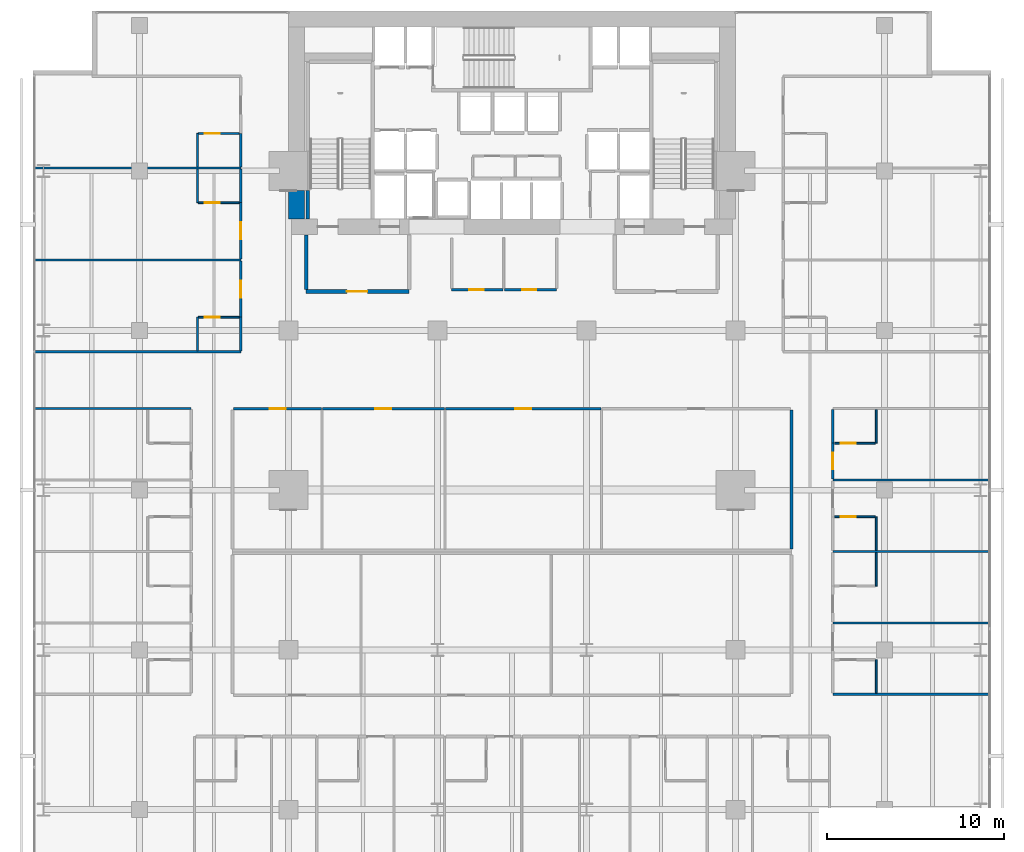
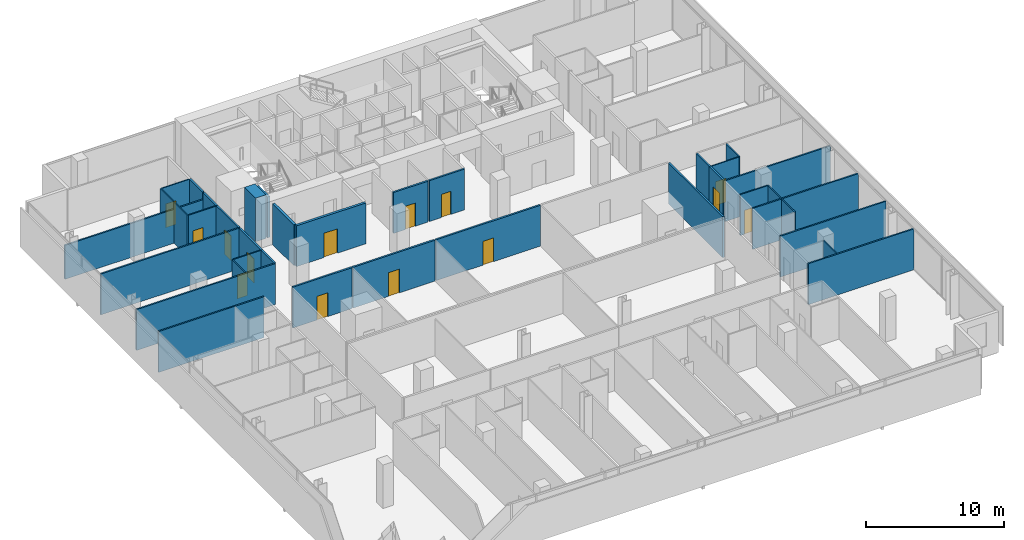
# One storey, part 35 of 41: 37 walls, 14 doors, 14 openings.
"""IFC4 building model written with IfcOpenShell, lengths in metres."""

from ifc_helpers import new_model, si_unit, direction, frame, frame_2d, origin, place, context, subcontext, project, spatial, rectangle, extrude, material, layer, layer_set, type_object, element, fill, save


model = new_model("IFC4")

# Units and contexts
model_context = context("Model", 3, precision=1e-05, world=origin(), true_north=direction((0.0, 1.0)))
body_context = subcontext(model_context, "Body", "Model", "MODEL_VIEW")
ifc_project = project(units=[si_unit("LENGTHUNIT", "METRE"), si_unit("AREAUNIT", "SQUARE_METRE"), si_unit("VOLUMEUNIT", "CUBIC_METRE"), si_unit("PLANEANGLEUNIT", "RADIAN"), si_unit("MASSUNIT", "GRAM", prefix="KILO")], contexts=[model_context])

# Site, building, storey
site_placement = place(None, origin())
site = spatial("IfcSite", under=ifc_project, at=site_placement, CompositionType="ELEMENT")
building_placement = place(site_placement, origin())
building = spatial("IfcBuilding", under=site, at=building_placement, Name="Maruvema Waterfront Hotel and Observation Tower", CompositionType="ELEMENT")
storey_placement = place(building_placement, frame((0.0, 0.0, 84.699951171875)))
storey = spatial("IfcBuildingStorey", under=building, at=storey_placement, Name="L20", CompositionType="ELEMENT", Elevation=84.699951171875)

# Wall, opening, door
ifc_material_1 = material(Name="Twin-stud acoustic gypsum drywall", Category="gypsum")
ifc_layer_1 = layer(ifc_material_1, 0.14990234375, Name="Acoustic Corridor and Suite Demising Wall 150 mm")
ifc_layer_set_1 = layer_set([ifc_layer_1], Name="Twin-stud acoustic gypsum drywall")
wall_type_1 = type_object("IfcWallType", Name="Acoustic Corridor and Suite Demising Wall 150 mm", PredefinedType="PARTITIONING", material=ifc_layer_set_1)
wall_1_placement = place(storey_placement, frame((34.39990234375, 38.300048828125, 0.0), z_axis=(0.0, 0.0, 1.0), x_axis=(1.0, 0.0, 0.0)))
wall_1 = element("IfcWall", 1, at=wall_1_placement, inside=storey, type_object=wall_type_1, Name="L20 Core Apron K2A South 017", PredefinedType="PARTITIONING", context=body_context, shape_type="SweptSolid", body=[
    extrude(rectangle(XDim=2.880126953125, YDim=0.14990234375, at=frame_2d((1.43994140625, 0.0))), origin(), (0.0, 0.0, 1.0), 3.610107421875),
])
opening_1_placement = place(wall_1_placement, frame((1.0, 0.0, 0.0)))
opening_1 = element("IfcOpeningElement", 2, at=opening_1_placement, cuts=wall_1, Name="Opening DR-080", PredefinedType="OPENING", context=body_context, shape_type="SweptSolid", body=[
    extrude(rectangle(XDim=0.800048828125, YDim=2.050048828125, at=frame_2d((0.39990234375, 1.02490234375))), frame((0.0, 0.0849609375, 0.0), z_axis=(0.0, -1.0, 0.0), x_axis=(1.0, 0.0, 0.0)), (0.0, 0.0, 1.0), 0.169921875),
])
ifc_material_2 = material(Name="Powder-coated steel access leaf", Category="steel")
door_type_1 = type_object("IfcDoorType", Name="Riser and Service Cupboard Door 800x2050 mm", OperationType="NOTDEFINED", PredefinedType="DOOR", material=ifc_material_2)
door_1_placement = place(opening_1_placement, frame((0.800048828125, 0.0, 0.0), z_axis=(0.0, 0.0, 1.0), x_axis=(-1.0, 0.0, 0.0)))
door_1 = element("IfcDoor", 3, at=door_1_placement, inside=storey, type_object=door_type_1, Name="L20 Core Ice Alcove Door", OperationType="SINGLE_SWING_RIGHT", OverallHeight=2.050048828125, OverallWidth=0.800048828125, PredefinedType="DOOR", context=body_context, shape_type="SweptSolid", body=[
    extrude(rectangle(XDim=0.800048828125, YDim=2.050048828125, at=frame_2d((0.39990234375, 1.02490234375))), frame((0.0, 0.02490234375, 0.0), z_axis=(0.0, -1.0, 0.0), x_axis=(1.0, 0.0, 0.0)), (0.0, 0.0, 1.0), 0.050048828125),
])
fill(opening_1, door_1)

wall_2_placement = place(storey_placement, frame((37.3798828125, 38.300048828125, 0.0), z_axis=(0.0, 0.0, 1.0), x_axis=(1.0, 0.0, 0.0)))
wall_2 = element("IfcWall", 4, at=wall_2_placement, inside=storey, type_object=wall_type_1, Name="L20 Core Apron K2B South 018", PredefinedType="PARTITIONING", context=body_context, shape_type="SweptSolid", body=[
    extrude(rectangle(XDim=2.940185546875, YDim=0.14990234375, at=frame_2d((1.47021484375, 0.0))), origin(), (0.0, 0.0, 1.0), 3.610107421875),
])
opening_2_placement = place(wall_2_placement, frame((1.0, 0.0, 0.0)))
opening_2 = element("IfcOpeningElement", 5, at=opening_2_placement, cuts=wall_2, Name="Opening DR-080", PredefinedType="OPENING", context=body_context, shape_type="SweptSolid", body=[
    extrude(rectangle(XDim=0.800048828125, YDim=2.050048828125, at=frame_2d((0.39990234375, 1.02490234375))), frame((0.0, 0.0849609375, 0.0), z_axis=(0.0, -1.0, 0.0), x_axis=(1.0, 0.0, 0.0)), (0.0, 0.0, 1.0), 0.169921875),
])
door_2_placement = place(opening_2_placement, frame((0.800048828125, 0.0, 0.0), z_axis=(0.0, 0.0, 1.0), x_axis=(-1.0, 0.0, 0.0)))
door_2 = element("IfcDoor", 6, at=door_2_placement, inside=storey, type_object=door_type_1, Name="L20 Core Valet Closet Door", OperationType="SINGLE_SWING_LEFT", OverallHeight=2.050048828125, OverallWidth=0.800048828125, PredefinedType="DOOR", context=body_context, shape_type="SweptSolid", body=[
    extrude(rectangle(XDim=0.800048828125, YDim=2.050048828125, at=frame_2d((0.39990234375, 1.02490234375))), frame((0.0, 0.02490234375, 0.0), z_axis=(0.0, -1.0, 0.0), x_axis=(1.0, 0.0, 0.0)), (0.0, 0.0, 1.0), 0.050048828125),
])
fill(opening_2, door_2)

# Wall
wall_3_placement = place(storey_placement, frame((53.550048828125, 23.679931640625, 0.0), z_axis=(0.0, 0.0, 1.0), x_axis=(0.0, 1.0, 0.0)))
element("IfcWall", 7, at=wall_3_placement, inside=storey, type_object=wall_type_1, Name="L20 L20-INTN East Wall 024", PredefinedType="PARTITIONING", context=body_context, shape_type="SweptSolid", body=[
    extrude(rectangle(XDim=7.840087890625, YDim=0.14990234375, at=frame_2d((3.919921875, 0.0))), origin(), (0.0, 0.0, 1.0), 3.610107421875),
])

# Wall, opening, door
wall_4_placement = place(storey_placement, frame((22.110107421875, 31.60009765625, 0.0), z_axis=(0.0, 0.0, 1.0), x_axis=(1.0, 0.0, 0.0)))
wall_4 = element("IfcWall", 8, at=wall_4_placement, inside=storey, type_object=wall_type_1, Name="L20 L20-INTN Front 1 025", PredefinedType="PARTITIONING", context=body_context, shape_type="SweptSolid", body=[
    extrude(rectangle(XDim=4.949951171875, YDim=0.14990234375, at=frame_2d((2.47509765625, 0.0))), origin(), (0.0, 0.0, 1.0), 3.610107421875),
])
opening_3_placement = place(wall_4_placement, frame((2.02490234375, 0.0, 0.0)))
opening_3 = element("IfcOpeningElement", 9, at=opening_3_placement, cuts=wall_4, Name="Opening DR-090", PredefinedType="OPENING", context=body_context, shape_type="SweptSolid", body=[
    extrude(rectangle(XDim=0.89990234375, YDim=2.10009765625, at=frame_2d((0.449951171875, 1.050048828125))), frame((0.0, 0.0849609375, 0.0), z_axis=(0.0, -1.0, 0.0), x_axis=(1.0, 0.0, 0.0)), (0.0, 0.0, 1.0), 0.169921875),
])
ifc_material_3 = material(Name="Solid-core lacquered timber leaf", Category="wood")
door_type_2 = type_object("IfcDoorType", Name="Accessible Toilet and Room Door 900x2100 mm", OperationType="NOTDEFINED", PredefinedType="DOOR", material=ifc_material_3)
door_3_placement = place(opening_3_placement, origin())
door_3 = element("IfcDoor", 10, at=door_3_placement, inside=storey, type_object=door_type_2, Name="L20 Coworking Office Door", OperationType="SINGLE_SWING_RIGHT", OverallHeight=2.10009765625, OverallWidth=0.89990234375, PredefinedType="DOOR", context=body_context, shape_type="SweptSolid", body=[
    extrude(rectangle(XDim=0.89990234375, YDim=2.10009765625, at=frame_2d((0.449951171875, 1.050048828125))), frame((0.0, 0.02490234375, 0.0), z_axis=(0.0, -1.0, 0.0), x_axis=(1.0, 0.0, 0.0)), (0.0, 0.0, 1.0), 0.050048828125),
])
fill(opening_3, door_3)

wall_5_placement = place(storey_placement, frame((27.1201171875, 31.60009765625, 0.0), z_axis=(0.0, 0.0, 1.0), x_axis=(1.0, 0.0, 0.0)))
wall_5 = element("IfcWall", 11, at=wall_5_placement, inside=storey, type_object=wall_type_1, Name="L20 L20-INTN Front 2 027", PredefinedType="PARTITIONING", context=body_context, shape_type="SweptSolid", body=[
    extrude(rectangle(XDim=6.869873046875, YDim=0.14990234375, at=frame_2d((3.43505859375, 0.0))), origin(), (0.0, 0.0, 1.0), 3.610107421875),
])
opening_4_placement = place(wall_5_placement, frame((2.985107421875, 0.0, 0.0)))
opening_4 = element("IfcOpeningElement", 12, at=opening_4_placement, cuts=wall_5, Name="Opening DR-090", PredefinedType="OPENING", context=body_context, shape_type="SweptSolid", body=[
    extrude(rectangle(XDim=0.89990234375, YDim=2.10009765625, at=frame_2d((0.449951171875, 1.050048828125))), frame((0.0, 0.0849609375, 0.0), z_axis=(0.0, -1.0, 0.0), x_axis=(1.0, 0.0, 0.0)), (0.0, 0.0, 1.0), 0.169921875),
])
door_4_placement = place(opening_4_placement, origin())
door_4 = element("IfcDoor", 13, at=door_4_placement, inside=storey, type_object=door_type_2, Name="L20 Meeting Room 1 Door", OperationType="SINGLE_SWING_LEFT", OverallHeight=2.10009765625, OverallWidth=0.89990234375, PredefinedType="DOOR", context=body_context, shape_type="SweptSolid", body=[
    extrude(rectangle(XDim=0.89990234375, YDim=2.10009765625, at=frame_2d((0.449951171875, 1.050048828125))), frame((0.0, 0.02490234375, 0.0), z_axis=(0.0, -1.0, 0.0), x_axis=(1.0, 0.0, 0.0)), (0.0, 0.0, 1.0), 0.050048828125),
])
fill(opening_4, door_4)

wall_6_placement = place(storey_placement, frame((34.050048828125, 31.60009765625, 0.0), z_axis=(0.0, 0.0, 1.0), x_axis=(1.0, 0.0, 0.0)))
wall_6 = element("IfcWall", 14, at=wall_6_placement, inside=storey, type_object=wall_type_1, Name="L20 L20-INTN Front 3 029", PredefinedType="PARTITIONING", context=body_context, shape_type="SweptSolid", body=[
    extrude(rectangle(XDim=8.760009765625, YDim=0.14990234375, at=frame_2d((4.3798828125, 0.0))), origin(), (0.0, 0.0, 1.0), 3.610107421875),
])
opening_5_placement = place(wall_6_placement, frame((3.929931640625, 0.0, 0.0)))
opening_5 = element("IfcOpeningElement", 15, at=opening_5_placement, cuts=wall_6, Name="Opening DR-090", PredefinedType="OPENING", context=body_context, shape_type="SweptSolid", body=[
    extrude(rectangle(XDim=0.89990234375, YDim=2.10009765625, at=frame_2d((0.449951171875, 1.050048828125))), frame((0.0, 0.0849609375, 0.0), z_axis=(0.0, -1.0, 0.0), x_axis=(1.0, 0.0, 0.0)), (0.0, 0.0, 1.0), 0.169921875),
])
door_5_placement = place(opening_5_placement, origin())
door_5 = element("IfcDoor", 16, at=door_5_placement, inside=storey, type_object=door_type_2, Name="L20 Meeting Room 2 Door", OperationType="SINGLE_SWING_RIGHT", OverallHeight=2.10009765625, OverallWidth=0.89990234375, PredefinedType="DOOR", context=body_context, shape_type="SweptSolid", body=[
    extrude(rectangle(XDim=0.89990234375, YDim=2.10009765625, at=frame_2d((0.449951171875, 1.050048828125))), frame((0.0, 0.02490234375, 0.0), z_axis=(0.0, -1.0, 0.0), x_axis=(1.0, 0.0, 0.0)), (0.0, 0.0, 1.0), 0.050048828125),
])
fill(opening_5, door_5)

wall_7_placement = place(storey_placement, frame((55.8798828125, 27.639892578125, 0.0), z_axis=(0.0, 0.0, 1.0), x_axis=(0.0, 1.0, 0.0)))
wall_7 = element("IfcWall", 17, at=wall_7_placement, inside=storey, type_object=wall_type_1, Name="L20 Room L20-E4 Corridor Wall 114", PredefinedType="PARTITIONING", context=body_context, shape_type="SweptSolid", body=[
    extrude(rectangle(XDim=2.010009765625, YDim=0.14990234375, at=frame_2d((1.0048828125, 0.0))), origin(), (0.0, 0.0, 1.0), 3.610107421875),
])
opening_6_placement = place(wall_7_placement, frame((0.530029296875, 0.0, 0.0)))
opening_6 = element("IfcOpeningElement", 18, at=opening_6_placement, cuts=wall_7, Name="Opening DR-095", PredefinedType="OPENING", context=body_context, shape_type="SweptSolid", body=[
    extrude(rectangle(XDim=0.949951171875, YDim=2.14990234375, at=frame_2d((0.47509765625, 1.074951171875))), frame((0.0, 0.0849609375, 0.0), z_axis=(0.0, -1.0, 0.0), x_axis=(1.0, 0.0, 0.0)), (0.0, 0.0, 1.0), 0.169921875),
])
ifc_material_4 = material(Name="Acoustic solid-core hardwood timber leaf", Category="wood")
door_type_3 = type_object("IfcDoorType", Name="Guestroom Entrance Fire Door 950x2150 mm", OperationType="NOTDEFINED", PredefinedType="DOOR", material=ifc_material_4)
door_6_placement = place(opening_6_placement, frame((0.949951171875, 0.0, 0.0), z_axis=(0.0, 0.0, 1.0), x_axis=(-1.0, 0.0, 0.0)))
door_6 = element("IfcDoor", 19, at=door_6_placement, inside=storey, type_object=door_type_3, Name="L20 Room L20-E4 Entrance Door", OperationType="SINGLE_SWING_LEFT", OverallHeight=2.14990234375, OverallWidth=0.949951171875, PredefinedType="DOOR", context=body_context, shape_type="SweptSolid", body=[
    extrude(rectangle(XDim=0.949951171875, YDim=2.14990234375, at=frame_2d((0.47509765625, 1.074951171875))), frame((0.0, 0.02490234375, 0.0), z_axis=(0.0, -1.0, 0.0), x_axis=(1.0, 0.0, 0.0)), (0.0, 0.0, 1.0), 0.050048828125),
])
fill(opening_6, door_6)

# Walls
wall_8_placement = place(storey_placement, frame((55.8798828125, 29.64990234375, 0.0), z_axis=(0.0, 0.0, 1.0), x_axis=(0.0, 1.0, 0.0)))
element("IfcWall", 20, at=wall_8_placement, inside=storey, type_object=wall_type_1, Name="L20 Bath L20-E4 Wall 115", PredefinedType="PARTITIONING", context=body_context, shape_type="SweptSolid", body=[
    extrude(rectangle(XDim=1.89013671875, YDim=0.14990234375, at=frame_2d((0.945068359375, 0.0))), origin(), (0.0, 0.0, 1.0), 3.610107421875),
])
wall_9_placement = place(storey_placement, frame((22.52001953125, 34.860107421875, 0.0), z_axis=(0.0, 0.0, 1.0), x_axis=(0.0, 1.0, 0.0)))
element("IfcWall", 21, at=wall_9_placement, inside=storey, type_object=wall_type_1, Name="L20 Bath L20-NW1 Wall 122", PredefinedType="PARTITIONING", context=body_context, shape_type="SweptSolid", body=[
    extrude(rectangle(XDim=1.889892578125, YDim=0.14990234375, at=frame_2d((0.94482421875, 0.0))), origin(), (0.0, 0.0, 1.0), 3.610107421875),
])

# Wall, opening, door
wall_10_placement = place(storey_placement, frame((22.52001953125, 36.75, 0.0), z_axis=(0.0, 0.0, 1.0), x_axis=(0.0, 1.0, 0.0)))
wall_10 = element("IfcWall", 22, at=wall_10_placement, inside=storey, type_object=wall_type_1, Name="L20 Room L20-NW1 Corridor Wall 123", PredefinedType="PARTITIONING", context=body_context, shape_type="SweptSolid", body=[
    extrude(rectangle(XDim=3.169189453125, YDim=0.14990234375, at=frame_2d((1.58447265625, 0.0))), origin(), (0.0, 0.0, 1.0), 3.610107421875),
])
opening_7_placement = place(wall_10_placement, frame((1.109619140625, 0.0, 0.0)))
opening_7 = element("IfcOpeningElement", 23, at=opening_7_placement, cuts=wall_10, Name="Opening DR-095", PredefinedType="OPENING", context=body_context, shape_type="SweptSolid", body=[
    extrude(rectangle(XDim=0.949951171875, YDim=2.14990234375, at=frame_2d((0.47509765625, 1.074951171875))), frame((0.0, 0.0849609375, 0.0), z_axis=(0.0, -1.0, 0.0), x_axis=(1.0, 0.0, 0.0)), (0.0, 0.0, 1.0), 0.169921875),
])
door_7_placement = place(opening_7_placement, origin())
door_7 = element("IfcDoor", 24, at=door_7_placement, inside=storey, type_object=door_type_3, Name="L20 Room L20-NW1 Entrance Door", OperationType="SINGLE_SWING_LEFT", OverallHeight=2.14990234375, OverallWidth=0.949951171875, PredefinedType="DOOR", context=body_context, shape_type="SweptSolid", body=[
    extrude(rectangle(XDim=0.949951171875, YDim=2.14990234375, at=frame_2d((0.47509765625, 1.074951171875))), frame((0.0, 0.02490234375, 0.0), z_axis=(0.0, -1.0, 0.0), x_axis=(1.0, 0.0, 0.0)), (0.0, 0.0, 1.0), 0.050048828125),
])
fill(opening_7, door_7)

wall_11_placement = place(storey_placement, frame((22.52001953125, 40.039306640625, 0.0), z_axis=(0.0, 0.0, 1.0), x_axis=(0.0, 1.0, 0.0)))
wall_11 = element("IfcWall", 25, at=wall_11_placement, inside=storey, type_object=wall_type_1, Name="L20 Room L20-NW2 Corridor Wall 132", PredefinedType="PARTITIONING", context=body_context, shape_type="SweptSolid", body=[
    extrude(rectangle(XDim=3.1689453125, YDim=0.14990234375, at=frame_2d((1.58447265625, 0.0))), origin(), (0.0, 0.0, 1.0), 3.610107421875),
])
opening_8_placement = place(wall_11_placement, frame((1.109619140625, 0.0, 0.0)))
opening_8 = element("IfcOpeningElement", 26, at=opening_8_placement, cuts=wall_11, Name="Opening DR-095", PredefinedType="OPENING", context=body_context, shape_type="SweptSolid", body=[
    extrude(rectangle(XDim=0.949951171875, YDim=2.14990234375, at=frame_2d((0.47509765625, 1.074951171875))), frame((0.0, 0.0849609375, 0.0), z_axis=(0.0, -1.0, 0.0), x_axis=(1.0, 0.0, 0.0)), (0.0, 0.0, 1.0), 0.169921875),
])
door_8_placement = place(opening_8_placement, origin())
door_8 = element("IfcDoor", 27, at=door_8_placement, inside=storey, type_object=door_type_3, Name="L20 Room L20-NW2 Entrance Door", OperationType="SINGLE_SWING_LEFT", OverallHeight=2.14990234375, OverallWidth=0.949951171875, PredefinedType="DOOR", context=body_context, shape_type="SweptSolid", body=[
    extrude(rectangle(XDim=0.949951171875, YDim=2.14990234375, at=frame_2d((0.47509765625, 1.074951171875))), frame((0.0, 0.02490234375, 0.0), z_axis=(0.0, -1.0, 0.0), x_axis=(1.0, 0.0, 0.0)), (0.0, 0.0, 1.0), 0.050048828125),
])
fill(opening_8, door_8)

# Walls
for number, where, z_axis, x_axis, name in (
    (28, (22.52001953125, 43.208251953125, 0.0), (0.0, 0.0, 1.0), (0.0, 1.0, 0.0), "L20 Bath L20-NW2 Wall 133"),
    (29, (22.52001953125, 45.21826171875, 0.0), (0.0, 0.0, 1.0), (0.0, 1.0, 0.0), "L20 Bath L20-NW3 Wall 142"),
):
    element("IfcWall", number, at=place(storey_placement, frame(where, z_axis=z_axis, x_axis=x_axis)), inside=storey, type_object=wall_type_1, Name=name, PredefinedType="PARTITIONING", context=body_context, shape_type="SweptSolid", body=[
        extrude(rectangle(XDim=1.89013671875, YDim=0.14990234375, at=frame_2d((0.945068359375, 0.0))), origin(), (0.0, 0.0, 1.0), 3.610107421875),
    ])
ifc_material_5 = material(Name="Precast concrete C45/55", Category="concrete")
ifc_layer_2 = layer(ifc_material_5, 0.199951171875, Name="Core Shaft and Stairwell Enclosure Wall 200 mm")
ifc_layer_set_2 = layer_set([ifc_layer_2], Name="Precast concrete C45/55")
wall_type_2 = type_object("IfcWallType", Name="Core Shaft and Stairwell Enclosure Wall 200 mm", PredefinedType="SOLIDWALL", material=ifc_layer_set_2)
wall_12_placement = place(storey_placement, frame((26.300048828125, 42.300048828125, 0.0), z_axis=(0.0, 0.0, 1.0), x_axis=(0.0, 1.0, 0.0)))
element("IfcWall", 30, at=wall_12_placement, inside=storey, type_object=wall_type_2, Name="L20 Stairwell ST-01 Shaft Lining Wall", PredefinedType="SOLIDWALL", context=body_context, shape_type="SweptSolid", body=[
    extrude(rectangle(XDim=1.579833984375, YDim=0.199951171875, at=frame_2d((0.7900390625, 0.0))), origin(), (0.0, 0.0, 1.0), 3.610107421875),
])
ifc_material_6 = material(Name="Concrete C80/95", Category="concrete")
ifc_layer_3 = layer(ifc_material_6, 0.89990234375, Name="Core Shear Wall 900 mm")
ifc_layer_set_3 = layer_set([ifc_layer_3], Name="Concrete C80/95")
wall_type_3 = type_object("IfcWallType", Name="Core Shear Wall 900 mm", PredefinedType="SHEAR", material=ifc_layer_set_3)
wall_13_placement = place(storey_placement, frame((25.64990234375, 42.300048828125, 0.0), z_axis=(0.0, 0.0, 1.0), x_axis=(0.0, 1.0, 0.0)))
element("IfcWall", 31, at=wall_13_placement, inside=storey, type_object=wall_type_3, Name="L20 West-South Core Shear Wall", PredefinedType="SHEAR", context=body_context, shape_type="SweptSolid", body=[
    extrude(rectangle(XDim=1.599853515625, YDim=0.89990234375, at=frame_2d((0.7998046875, 0.0))), origin(), (0.0, 0.0, 1.0), 3.85009765625),
])
ifc_material_7 = material(Name="Moisture-resistant cement-board drywall", Category="gypsum")
ifc_layer_4 = layer(ifc_material_7, 0.10009765625, Name="En-Suite Moisture-Resistant Partition 100 mm")
ifc_layer_set_4 = layer_set([ifc_layer_4], Name="Moisture-resistant cement-board drywall")
wall_type_4 = type_object("IfcWallType", Name="En-Suite Moisture-Resistant Partition 100 mm", PredefinedType="PARTITIONING", material=ifc_layer_set_4)
for number, where, z_axis, x_axis, name in (
    (32, (58.330078125, 15.56005859375, 0.0), (0.0, 0.0, 1.0), (0.0, 1.0, 0.0), "L20 En-Suite L20-E1 E 086"),
    (33, (58.330078125, 21.60009765625, 0.0), (0.0, 0.0, 1.0), (0.0, 1.0, 0.0), "L20 En-Suite L20-E2 E 096"),
    (34, (58.330078125, 23.610107421875, 0.0), (0.0, 0.0, 1.0), (0.0, 1.0, 0.0), "L20 En-Suite L20-E3 E 106"),
):
    element("IfcWall", number, at=place(storey_placement, frame(where, z_axis=z_axis, x_axis=x_axis)), inside=storey, type_object=wall_type_4, Name=name, PredefinedType="PARTITIONING", context=body_context, shape_type="SweptSolid", body=[
        extrude(rectangle(XDim=1.889892578125, YDim=0.10009765625, at=frame_2d((0.94482421875, 0.0))), origin(), (0.0, 0.0, 1.0), 3.610107421875),
    ])

# Wall, opening, door
wall_14_placement = place(storey_placement, frame((55.97998046875, 25.5, 0.0), z_axis=(0.0, 0.0, 1.0), x_axis=(1.0, 0.0, 0.0)))
wall_14 = element("IfcWall", 35, at=wall_14_placement, inside=storey, type_object=wall_type_4, Name="L20 En-Suite L20-E3 N 107", PredefinedType="PARTITIONING", context=body_context, shape_type="SweptSolid", body=[
    extrude(rectangle(XDim=2.300048828125, YDim=0.10009765625, at=frame_2d((1.14990234375, 0.0))), origin(), (0.0, 0.0, 1.0), 3.610107421875),
])
opening_9_placement = place(wall_14_placement, frame((0.35009765625, 0.0, 0.0)))
opening_9 = element("IfcOpeningElement", 36, at=opening_9_placement, cuts=wall_14, Name="Opening DR-085", PredefinedType="OPENING", context=body_context, shape_type="SweptSolid", body=[
    extrude(rectangle(XDim=0.85009765625, YDim=2.10009765625, at=frame_2d((0.425048828125, 1.050048828125))), frame((0.0, 0.06005859375, 0.0), z_axis=(0.0, -1.0, 0.0), x_axis=(1.0, 0.0, 0.0)), (0.0, 0.0, 1.0), 0.1201171875),
])
ifc_material_8 = material(Name="Moisture-resistant solid timber leaf", Category="wood")
door_type_4 = type_object("IfcDoorType", Name="En-Suite Bathroom Door 850x2100 mm", OperationType="NOTDEFINED", PredefinedType="DOOR", material=ifc_material_8)
door_9_placement = place(opening_9_placement, origin())
door_9 = element("IfcDoor", 37, at=door_9_placement, inside=storey, type_object=door_type_4, Name="L20 En-Suite L20-E3 Door", OperationType="SINGLE_SWING_RIGHT", OverallHeight=2.10009765625, OverallWidth=0.85009765625, PredefinedType="DOOR", context=body_context, shape_type="SweptSolid", body=[
    extrude(rectangle(XDim=0.85009765625, YDim=2.10009765625, at=frame_2d((0.425048828125, 1.050048828125))), frame((0.0, 0.02490234375, 0.0), z_axis=(0.0, -1.0, 0.0), x_axis=(1.0, 0.0, 0.0)), (0.0, 0.0, 1.0), 0.050048828125),
])
fill(opening_9, door_9)

# Wall
wall_15_placement = place(storey_placement, frame((58.330078125, 29.64990234375, 0.0), z_axis=(0.0, 0.0, 1.0), x_axis=(0.0, 1.0, 0.0)))
element("IfcWall", 38, at=wall_15_placement, inside=storey, type_object=wall_type_4, Name="L20 En-Suite L20-E4 E 116", PredefinedType="PARTITIONING", context=body_context, shape_type="SweptSolid", body=[
    extrude(rectangle(XDim=1.89013671875, YDim=0.10009765625, at=frame_2d((0.945068359375, 0.0))), origin(), (0.0, 0.0, 1.0), 3.610107421875),
])

# Wall, opening, door
wall_16_placement = place(storey_placement, frame((55.97998046875, 29.64990234375, 0.0), z_axis=(0.0, 0.0, 1.0), x_axis=(1.0, 0.0, 0.0)))
wall_16 = element("IfcWall", 39, at=wall_16_placement, inside=storey, type_object=wall_type_4, Name="L20 En-Suite L20-E4 S 117", PredefinedType="PARTITIONING", context=body_context, shape_type="SweptSolid", body=[
    extrude(rectangle(XDim=2.300048828125, YDim=0.10009765625, at=frame_2d((1.14990234375, 0.0))), origin(), (0.0, 0.0, 1.0), 3.610107421875),
])
opening_10_placement = place(wall_16_placement, frame((0.35009765625, 0.0, 0.0)))
opening_10 = element("IfcOpeningElement", 40, at=opening_10_placement, cuts=wall_16, Name="Opening DR-085", PredefinedType="OPENING", context=body_context, shape_type="SweptSolid", body=[
    extrude(rectangle(XDim=0.85009765625, YDim=2.10009765625, at=frame_2d((0.425048828125, 1.050048828125))), frame((0.0, 0.06005859375, 0.0), z_axis=(0.0, -1.0, 0.0), x_axis=(1.0, 0.0, 0.0)), (0.0, 0.0, 1.0), 0.1201171875),
])
door_10_placement = place(opening_10_placement, frame((0.85009765625, 0.0, 0.0), z_axis=(0.0, 0.0, 1.0), x_axis=(-1.0, 0.0, 0.0)))
door_10 = element("IfcDoor", 41, at=door_10_placement, inside=storey, type_object=door_type_4, Name="L20 En-Suite L20-E4 Door", OperationType="SINGLE_SWING_RIGHT", OverallHeight=2.10009765625, OverallWidth=0.85009765625, PredefinedType="DOOR", context=body_context, shape_type="SweptSolid", body=[
    extrude(rectangle(XDim=0.85009765625, YDim=2.10009765625, at=frame_2d((0.425048828125, 1.050048828125))), frame((0.0, 0.02490234375, 0.0), z_axis=(0.0, -1.0, 0.0), x_axis=(1.0, 0.0, 0.0)), (0.0, 0.0, 1.0), 0.050048828125),
])
fill(opening_10, door_10)

# Wall
wall_17_placement = place(storey_placement, frame((20.070068359375, 34.860107421875, 0.0), z_axis=(0.0, 0.0, 1.0), x_axis=(0.0, 1.0, 0.0)))
element("IfcWall", 42, at=wall_17_placement, inside=storey, type_object=wall_type_4, Name="L20 En-Suite L20-NW1 W 124", PredefinedType="PARTITIONING", context=body_context, shape_type="SweptSolid", body=[
    extrude(rectangle(XDim=1.889892578125, YDim=0.10009765625, at=frame_2d((0.94482421875, 0.0))), origin(), (0.0, 0.0, 1.0), 3.610107421875),
])

# Wall, opening, door
wall_18_placement = place(storey_placement, frame((20.1201171875, 36.75, 0.0), z_axis=(0.0, 0.0, 1.0), x_axis=(1.0, 0.0, 0.0)))
wall_18 = element("IfcWall", 43, at=wall_18_placement, inside=storey, type_object=wall_type_4, Name="L20 En-Suite L20-NW1 N 125", PredefinedType="PARTITIONING", context=body_context, shape_type="SweptSolid", body=[
    extrude(rectangle(XDim=2.2998046875, YDim=0.10009765625, at=frame_2d((1.14990234375, 0.0))), origin(), (0.0, 0.0, 1.0), 3.610107421875),
])
opening_11_placement = place(wall_18_placement, frame((0.35009765625, 0.0, 0.0)))
opening_11 = element("IfcOpeningElement", 44, at=opening_11_placement, cuts=wall_18, Name="Opening DR-085", PredefinedType="OPENING", context=body_context, shape_type="SweptSolid", body=[
    extrude(rectangle(XDim=0.85009765625, YDim=2.10009765625, at=frame_2d((0.425048828125, 1.050048828125))), frame((0.0, 0.06005859375, 0.0), z_axis=(0.0, -1.0, 0.0), x_axis=(1.0, 0.0, 0.0)), (0.0, 0.0, 1.0), 0.1201171875),
])
door_11_placement = place(opening_11_placement, origin())
door_11 = element("IfcDoor", 45, at=door_11_placement, inside=storey, type_object=door_type_4, Name="L20 En-Suite L20-NW1 Door", OperationType="SINGLE_SWING_RIGHT", OverallHeight=2.10009765625, OverallWidth=0.85009765625, PredefinedType="DOOR", context=body_context, shape_type="SweptSolid", body=[
    extrude(rectangle(XDim=0.85009765625, YDim=2.10009765625, at=frame_2d((0.425048828125, 1.050048828125))), frame((0.0, 0.02490234375, 0.0), z_axis=(0.0, -1.0, 0.0), x_axis=(1.0, 0.0, 0.0)), (0.0, 0.0, 1.0), 0.050048828125),
])
fill(opening_11, door_11)

# Wall
wall_19_placement = place(storey_placement, frame((20.070068359375, 43.208251953125, 0.0), z_axis=(0.0, 0.0, 1.0), x_axis=(0.0, 1.0, 0.0)))
element("IfcWall", 46, at=wall_19_placement, inside=storey, type_object=wall_type_4, Name="L20 En-Suite L20-NW2 W 134", PredefinedType="PARTITIONING", context=body_context, shape_type="SweptSolid", body=[
    extrude(rectangle(XDim=1.89013671875, YDim=0.10009765625, at=frame_2d((0.945068359375, 0.0))), origin(), (0.0, 0.0, 1.0), 3.610107421875),
])

# Wall, opening, door
wall_20_placement = place(storey_placement, frame((20.1201171875, 43.208251953125, 0.0), z_axis=(0.0, 0.0, 1.0), x_axis=(1.0, 0.0, 0.0)))
wall_20 = element("IfcWall", 47, at=wall_20_placement, inside=storey, type_object=wall_type_4, Name="L20 En-Suite L20-NW2 S 135", PredefinedType="PARTITIONING", context=body_context, shape_type="SweptSolid", body=[
    extrude(rectangle(XDim=2.2998046875, YDim=0.10009765625, at=frame_2d((1.14990234375, 0.0))), origin(), (0.0, 0.0, 1.0), 3.610107421875),
])
opening_12_placement = place(wall_20_placement, frame((0.35009765625, 0.0, 0.0)))
opening_12 = element("IfcOpeningElement", 48, at=opening_12_placement, cuts=wall_20, Name="Opening DR-085", PredefinedType="OPENING", context=body_context, shape_type="SweptSolid", body=[
    extrude(rectangle(XDim=0.85009765625, YDim=2.10009765625, at=frame_2d((0.425048828125, 1.050048828125))), frame((0.0, 0.06005859375, 0.0), z_axis=(0.0, -1.0, 0.0), x_axis=(1.0, 0.0, 0.0)), (0.0, 0.0, 1.0), 0.1201171875),
])
door_12_placement = place(opening_12_placement, frame((0.85009765625, 0.0, 0.0), z_axis=(0.0, 0.0, 1.0), x_axis=(-1.0, 0.0, 0.0)))
door_12 = element("IfcDoor", 49, at=door_12_placement, inside=storey, type_object=door_type_4, Name="L20 En-Suite L20-NW2 Door", OperationType="SINGLE_SWING_RIGHT", OverallHeight=2.10009765625, OverallWidth=0.85009765625, PredefinedType="DOOR", context=body_context, shape_type="SweptSolid", body=[
    extrude(rectangle(XDim=0.85009765625, YDim=2.10009765625, at=frame_2d((0.425048828125, 1.050048828125))), frame((0.0, 0.02490234375, 0.0), z_axis=(0.0, -1.0, 0.0), x_axis=(1.0, 0.0, 0.0)), (0.0, 0.0, 1.0), 0.050048828125),
])
fill(opening_12, door_12)

# Wall
wall_21_placement = place(storey_placement, frame((20.070068359375, 45.21826171875, 0.0), z_axis=(0.0, 0.0, 1.0), x_axis=(0.0, 1.0, 0.0)))
element("IfcWall", 50, at=wall_21_placement, inside=storey, type_object=wall_type_4, Name="L20 En-Suite L20-NW3 W 144", PredefinedType="PARTITIONING", context=body_context, shape_type="SweptSolid", body=[
    extrude(rectangle(XDim=1.89013671875, YDim=0.10009765625, at=frame_2d((0.945068359375, 0.0))), origin(), (0.0, 0.0, 1.0), 3.610107421875),
])

# Wall, opening, door
wall_22_placement = place(storey_placement, frame((20.1201171875, 47.1083984375, 0.0), z_axis=(0.0, 0.0, 1.0), x_axis=(1.0, 0.0, 0.0)))
wall_22 = element("IfcWall", 51, at=wall_22_placement, inside=storey, type_object=wall_type_4, Name="L20 En-Suite L20-NW3 N 145", PredefinedType="PARTITIONING", context=body_context, shape_type="SweptSolid", body=[
    extrude(rectangle(XDim=2.2998046875, YDim=0.10009765625, at=frame_2d((1.14990234375, 0.0))), origin(), (0.0, 0.0, 1.0), 3.610107421875),
])
opening_13_placement = place(wall_22_placement, frame((0.35009765625, 0.0, 0.0)))
opening_13 = element("IfcOpeningElement", 52, at=opening_13_placement, cuts=wall_22, Name="Opening DR-085", PredefinedType="OPENING", context=body_context, shape_type="SweptSolid", body=[
    extrude(rectangle(XDim=0.85009765625, YDim=2.10009765625, at=frame_2d((0.425048828125, 1.050048828125))), frame((0.0, 0.06005859375, 0.0), z_axis=(0.0, -1.0, 0.0), x_axis=(1.0, 0.0, 0.0)), (0.0, 0.0, 1.0), 0.1201171875),
])
door_13_placement = place(opening_13_placement, origin())
door_13 = element("IfcDoor", 53, at=door_13_placement, inside=storey, type_object=door_type_4, Name="L20 En-Suite L20-NW3 Door", OperationType="SINGLE_SWING_RIGHT", OverallHeight=2.10009765625, OverallWidth=0.85009765625, PredefinedType="DOOR", context=body_context, shape_type="SweptSolid", body=[
    extrude(rectangle(XDim=0.85009765625, YDim=2.10009765625, at=frame_2d((0.425048828125, 1.050048828125))), frame((0.0, 0.02490234375, 0.0), z_axis=(0.0, -1.0, 0.0), x_axis=(1.0, 0.0, 0.0)), (0.0, 0.0, 1.0), 0.050048828125),
])
fill(opening_13, door_13)

ifc_material_9 = material(Name="Autoclaved cellular concrete blockwork", Category="masonry")
ifc_layer_5 = layer(ifc_material_9, 0.199951171875, Name="Fire Compartment Masonry Wall 200 mm")
ifc_layer_set_5 = layer_set([ifc_layer_5], Name="Autoclaved cellular concrete blockwork")
wall_type_5 = type_object("IfcWallType", Name="Fire Compartment Masonry Wall 200 mm", PredefinedType="PARTITIONING", material=ifc_layer_set_5)
wall_23_placement = place(storey_placement, frame((26.199951171875, 38.199951171875, 0.0), z_axis=(0.0, 0.0, 1.0), x_axis=(1.0, 0.0, 0.0)))
wall_23 = element("IfcWall", 54, at=wall_23_placement, inside=storey, type_object=wall_type_5, Name="L20 FFL West South Wall 001", PredefinedType="PARTITIONING", context=body_context, shape_type="SweptSolid", body=[
    extrude(rectangle(XDim=5.800048828125, YDim=0.199951171875, at=frame_2d((2.89990234375, 0.0))), origin(), (0.0, 0.0, 1.0), 3.610107421875),
])
opening_14_placement = place(wall_23_placement, frame((2.300048828125, 0.0, 0.0)))
opening_14 = element("IfcOpeningElement", 55, at=opening_14_placement, cuts=wall_23, Name="Opening FD-115", PredefinedType="OPENING", context=body_context, shape_type="SweptSolid", body=[
    extrude(rectangle(XDim=1.14990234375, YDim=2.14990234375, at=frame_2d((0.574951171875, 1.074951171875))), frame((0.0, 0.10986328125, 0.0), z_axis=(0.0, -1.0, 0.0), x_axis=(1.0, 0.0, 0.0)), (0.0, 0.0, 1.0), 0.219970703125),
])
ifc_material_10 = material(Name="Fire-rated galvanised steel and vision glass", Category="steel")
door_type_5 = type_object("IfcDoorType", Name="Firefighting Lobby Fire Door 1150x2150 mm", OperationType="NOTDEFINED", PredefinedType="DOOR", material=ifc_material_10)
door_14_placement = place(opening_14_placement, frame((1.14990234375, 0.0, 0.0), z_axis=(0.0, 0.0, 1.0), x_axis=(-1.0, 0.0, 0.0)))
door_14 = element("IfcDoor", 56, at=door_14_placement, inside=storey, type_object=door_type_5, Name="L20 Firefighting Lobby West Door", OperationType="SINGLE_SWING_RIGHT", OverallHeight=2.14990234375, OverallWidth=1.14990234375, PredefinedType="DOOR", context=body_context, shape_type="SweptSolid", body=[
    extrude(rectangle(XDim=1.14990234375, YDim=2.14990234375, at=frame_2d((0.574951171875, 1.074951171875))), frame((0.0, 0.02490234375, 0.0), z_axis=(0.0, -1.0, 0.0), x_axis=(1.0, 0.0, 0.0)), (0.0, 0.0, 1.0), 0.050048828125),
])
fill(opening_14, door_14)

# Walls
wall_24_placement = place(storey_placement, frame((26.199951171875, 38.31005859375, 0.0), z_axis=(0.0, 0.0, 1.0), x_axis=(0.0, 1.0, 0.0)))
element("IfcWall", 57, at=wall_24_placement, inside=storey, type_object=wall_type_5, Name="L20 FFL West West Wall 002", PredefinedType="PARTITIONING", context=body_context, shape_type="SweptSolid", body=[
    extrude(rectangle(XDim=3.06982421875, YDim=0.199951171875, at=frame_2d((1.534912109375, 0.0))), origin(), (0.0, 0.0, 1.0), 3.610107421875),
])
ifc_material_11 = material(Name="Acoustic gypsum plasterboard drywall", Category="gypsum")
ifc_layer_6 = layer(ifc_material_11, 0.125, Name="Guestroom Acoustic Demising Wall 125 mm")
ifc_layer_set_6 = layer_set([ifc_layer_6], Name="Acoustic gypsum plasterboard drywall")
wall_type_6 = type_object("IfcWallType", Name="Guestroom Acoustic Demising Wall 125 mm", PredefinedType="PARTITIONING", material=ifc_layer_set_6)
for number, where, z_axis, x_axis, name in (
    (58, (55.8798828125, 15.5, 0.0), (0.0, 0.0, 1.0), (1.0, 0.0, 0.0), "L20 E Bot End 077"),
    (59, (10.89990234375, 31.60009765625, 0.0), (0.0, 0.0, 1.0), (1.0, 0.0, 0.0), "L20 W Top End 078"),
    (60, (55.8798828125, 19.52001953125, 0.0), (0.0, 0.0, 1.0), (1.0, 0.0, 0.0), "L20 E Demising 2 089"),
    (61, (55.8798828125, 23.550048828125, 0.0), (0.0, 0.0, 1.0), (1.0, 0.0, 0.0), "L20 E Demising 3 099"),
    (62, (55.8798828125, 27.580078125, 0.0), (0.0, 0.0, 1.0), (1.0, 0.0, 0.0), "L20 E Demising 4 109"),
):
    element("IfcWall", number, at=place(storey_placement, frame(where, z_axis=z_axis, x_axis=x_axis)), inside=storey, type_object=wall_type_6, Name=name, PredefinedType="PARTITIONING", context=body_context, shape_type="SweptSolid", body=[
        extrude(rectangle(XDim=8.820068359375, YDim=0.125, at=frame_2d((4.41015625, 0.0))), origin(), (0.0, 0.0, 1.0), 3.610107421875),
    ])
for number, where, z_axis, x_axis, name in (
    (63, (10.89990234375, 34.800048828125, 0.0), (0.0, 0.0, 1.0), (1.0, 0.0, 0.0), "L20 NW Bot End 118"),
    (64, (10.89990234375, 39.979248046875, 0.0), (0.0, 0.0, 1.0), (1.0, 0.0, 0.0), "L20 NW Demising 2 130"),
):
    element("IfcWall", number, at=place(storey_placement, frame(where, z_axis=z_axis, x_axis=x_axis)), inside=storey, type_object=wall_type_6, Name=name, PredefinedType="PARTITIONING", context=body_context, shape_type="SweptSolid", body=[
        extrude(rectangle(XDim=11.6201171875, YDim=0.125, at=frame_2d((5.81005859375, 0.0))), origin(), (0.0, 0.0, 1.0), 3.610107421875),
    ])
wall_25_placement = place(storey_placement, frame((10.89990234375, 45.158203125, 0.0), z_axis=(0.0, 0.0, 1.0), x_axis=(1.0, 0.0, 0.0)))
element("IfcWall", 65, at=wall_25_placement, inside=storey, type_object=wall_type_6, Name="L20 NW Demising 3 140", PredefinedType="PARTITIONING", context=body_context, shape_type="SweptSolid", body=[
    extrude(rectangle(XDim=11.6201171875, YDim=0.125, at=frame_2d((5.81005859375, 0.0))), origin(), (0.0, 0.0, 1.0), 2.9990234375),
])

save(model, "model.ifc")
